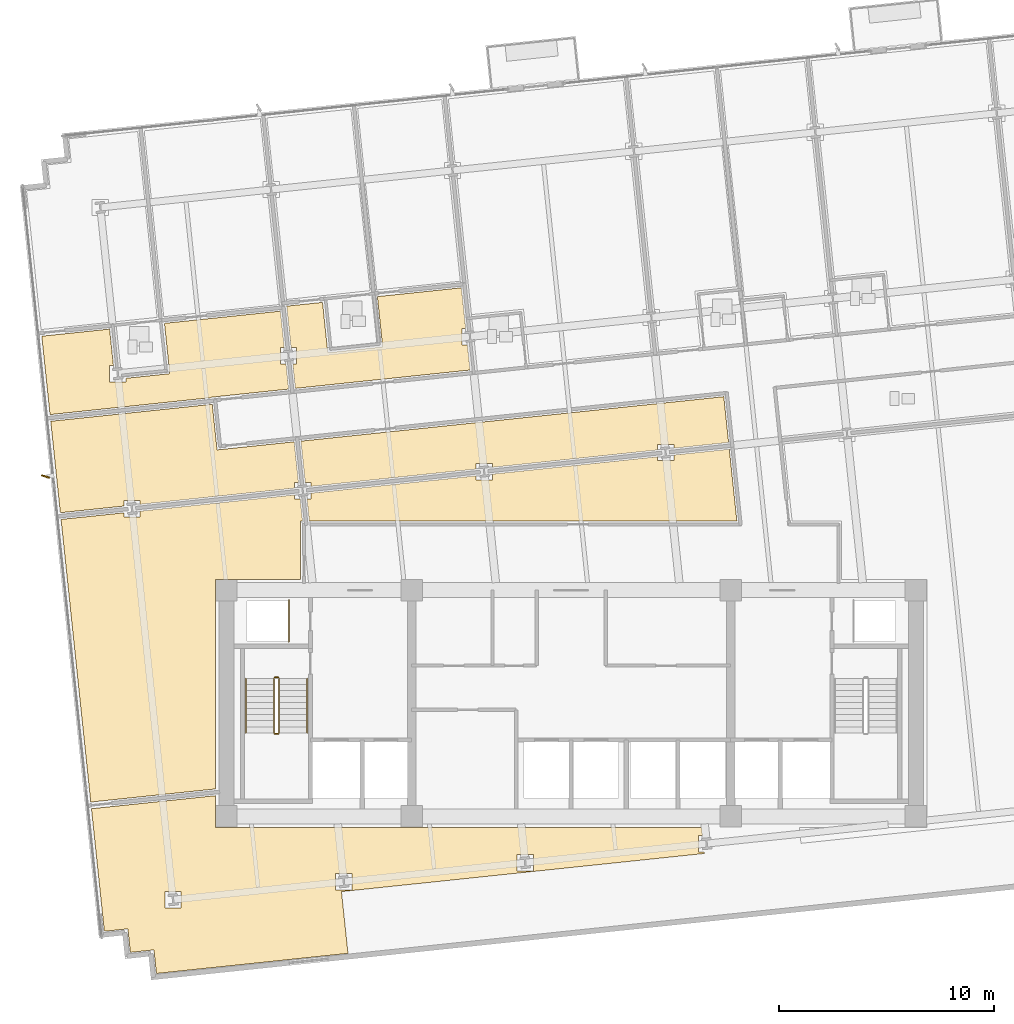
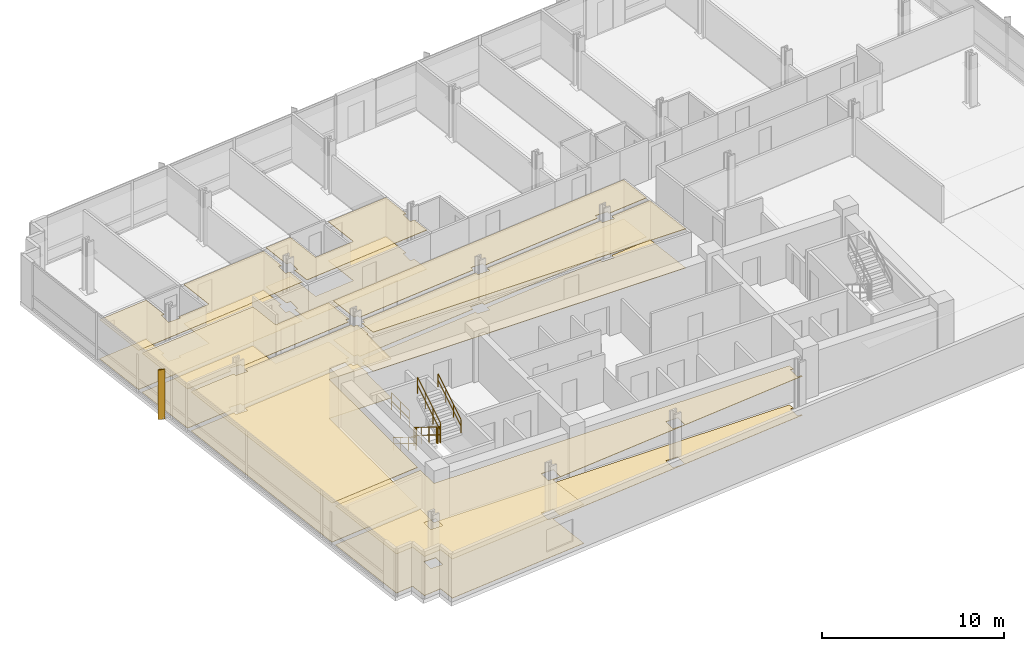
# One storey, part 14 of 18: 14 coverings, 7 railings, 1 shading device.
"""IFC4 building model written with IfcOpenShell, lengths in metres."""

from ifc_helpers import new_model, si_unit, direction, frame, origin, origin_2d, place, context, subcontext, project, spatial, polyline, rectangle, circle, outline, extrude, material, layer, layer_set, type_object, element, save


model = new_model("IFC4")

# Units and contexts
model_context = context("Model", 3, precision=1e-05, world=origin(), true_north=direction((0.0, 1.0)))
body_context = subcontext(model_context, "Body", "Model", "MODEL_VIEW")
ifc_project = project(units=[si_unit("LENGTHUNIT", "METRE"), si_unit("AREAUNIT", "SQUARE_METRE"), si_unit("VOLUMEUNIT", "CUBIC_METRE"), si_unit("PLANEANGLEUNIT", "RADIAN"), si_unit("MASSUNIT", "GRAM", prefix="KILO")], contexts=[model_context])

# Site, building, storey
site_placement = place(None, origin())
site = spatial("IfcSite", under=ifc_project, at=site_placement, CompositionType="ELEMENT")
building_placement = place(site_placement, origin())
building = spatial("IfcBuilding", under=site, at=building_placement, Name="Solmavex Isthmus Hotel", CompositionType="ELEMENT")
storey_placement = place(building_placement, frame((0.0, 0.0, 120.14990234375)))
storey = spatial("IfcBuildingStorey", under=building, at=storey_placement, Name="L32", CompositionType="ELEMENT", Elevation=120.14990234375)

# Coverings
ifc_material_1 = material(Name="Gypsum plasterboard lining", Category="gypsum")
ifc_layer_1 = layer(ifc_material_1, 0.030029296875)
ifc_layer_set_1 = layer_set([ifc_layer_1], Name="Gypsum plasterboard lining")
covering_type_1 = type_object("IfcCoveringType", Name="COV-CEIL-GYP", PredefinedType="CEILING", material=ifc_layer_set_1)
covering_1_placement = place(storey_placement, frame((0.0, 0.0, 2.6201171875)))
element("IfcCovering", 1, at=covering_1_placement, inside=storey, type_object=covering_type_1, Name="Suspended Acoustic Ceiling L32-SH01-LV", PredefinedType="CEILING", context=body_context, shape_type="SweptSolid", body=[
    extrude(outline(polyline([(-21.42041015625, 9.615966796875), (-24.567138671875, 9.28515625), (-24.184814453125, 5.647216796875), (-16.688232421875, 6.43505859375), (-16.690185546875, 6.455078125), (-13.10986328125, 6.831298828125), (-13.23291015625, 8.002197265625), (-13.4970703125, 8.002197265625), (-13.4970703125, 8.76220703125), (-13.31298828125, 8.76220703125), (-13.490234375, 10.449462890625), (-18.87451171875, 9.883544921875), (-18.62890625, 7.54638671875), (-20.661376953125, 7.332763671875), (-20.661376953125, 7.169189453125), (-21.42138671875, 7.169189453125), (-21.42138671875, 7.92919921875), (-21.2431640625, 7.92919921875), (-21.42041015625, 9.615966796875)])), origin(), (0.0, 0.0, 1.0), 0.030029296875),
])
covering_2_placement = place(storey_placement, frame((0.0, 0.0, 2.6201171875)))
element("IfcCovering", 2, at=covering_2_placement, inside=storey, type_object=covering_type_1, Name="Suspended Acoustic Ceiling L32-ST02-FY", PredefinedType="CEILING", context=body_context, shape_type="SweptSolid", body=[
    extrude(outline(polyline([(-4.8134765625, 8.886962890625), (-5.077392578125, 8.886962890625), (-5.077392578125, 9.64697265625), (-4.893310546875, 9.64697265625), (-5.091552734375, 11.533203125), (-8.992919921875, 11.123291015625), (-8.747314453125, 8.7861328125), (-11.29345703125, 8.5185546875), (-11.5390625, 10.855712890625), (-13.202880859375, 10.6806640625), (-13.001220703125, 8.76220703125), (-12.737060546875, 8.76220703125), (-12.737060546875, 8.002197265625), (-12.92138671875, 8.002197265625), (-12.8017578125, 6.86376953125), (-4.6904296875, 7.71630859375), (-4.8134765625, 8.886962890625)])), origin(), (0.0, 0.0, 1.0), 0.030029296875),
])
covering_3_placement = place(storey_placement, frame((0.0, 0.0, 2.6201171875)))
element("IfcCovering", 3, at=covering_3_placement, inside=storey, type_object=covering_type_1, Name="Suspended Acoustic Ceiling L32-FL09", PredefinedType="CEILING", context=body_context, shape_type="SweptSolid", body=[
    extrude(outline(polyline([(-12.8388671875, 2.234619140625), (-12.8388671875, 2.49853515625), (-12.654541015625, 2.49853515625), (-12.852783203125, 4.384765625), (-16.43310546875, 4.008544921875), (-16.65576171875, 6.126953125), (-24.15234375, 5.3388671875), (-23.7060546875, 1.09228515625), (-20.76318359375, 1.401611328125), (-20.76318359375, 1.665771484375), (-20.003173828125, 1.665771484375), (-20.003173828125, 1.4814453125), (-12.8388671875, 2.234619140625)])), origin(), (0.0, 0.0, 1.0), 0.030029296875),
])
covering_4_placement = place(storey_placement, frame((0.0, 0.0, 2.6201171875)))
element("IfcCovering", 4, at=covering_4_placement, inside=storey, type_object=covering_type_1, Name="Suspended Acoustic Ceiling L32-FL10", PredefinedType="CEILING", context=body_context, shape_type="SweptSolid", body=[
    extrude(outline(polyline([(4.00048828125, 4.00439453125), (4.00048828125, 4.2685546875), (4.760498046875, 4.2685546875), (4.760498046875, 4.084228515625), (7.30615234375, 4.351806640625), (7.082275390625, 6.480224609375), (-12.54443359375, 4.417236328125), (-12.3427734375, 2.49853515625), (-12.078857421875, 2.49853515625), (-12.078857421875, 2.314453125), (-4.419189453125, 3.119384765625), (-4.419189453125, 3.383544921875), (-3.6591796875, 3.383544921875), (-3.6591796875, 3.199462890625), (4.00048828125, 4.00439453125)])), origin(), (0.0, 0.0, 1.0), 0.030029296875),
])
covering_5_placement = place(storey_placement, frame((0.0, 0.0, 2.6201171875)))
element("IfcCovering", 5, at=covering_5_placement, inside=storey, type_object=covering_type_1, Name="Suspended Acoustic Ceiling L32-FL11", PredefinedType="CEILING", context=body_context, shape_type="SweptSolid", body=[
    extrude(outline(polyline([(-12.078857421875, 2.002685546875), (-12.078857421875, 1.738525390625), (-12.262939453125, 1.738525390625), (-12.154296875, 0.705078125), (7.689453125, 0.705078125), (7.33837890625, 4.04345703125), (4.760498046875, 3.7724609375), (4.760498046875, 3.508544921875), (4.00048828125, 3.508544921875), (4.00048828125, 3.692626953125), (-3.6591796875, 2.8876953125), (-3.6591796875, 2.62353515625), (-4.419189453125, 2.62353515625), (-4.419189453125, 2.807861328125), (-12.078857421875, 2.002685546875)])), origin(), (0.0, 0.0, 1.0), 0.030029296875),
])
covering_6_placement = place(storey_placement, frame((0.0, 0.0, 2.6201171875)))
element("IfcCovering", 6, at=covering_6_placement, inside=storey, type_object=covering_type_1, Name="Suspended Acoustic Ceiling L32-FL12", PredefinedType="CEILING", context=body_context, shape_type="SweptSolid", body=[
    extrude(outline(polyline([(-20.003173828125, 1.169921875), (-20.003173828125, 0.90576171875), (-20.76318359375, 0.90576171875), (-20.76318359375, 1.08984375), (-23.673583984375, 0.783935546875), (-22.82763671875, -7.2666015625), (-22.294921875, -12.333740234375), (-16.5048828125, -11.72509765625), (-16.5048828125, -1.9951171875), (-12.554931640625, -1.9951171875), (-12.554931640625, 0.705078125), (-12.466064453125, 0.705078125), (-12.57470703125, 1.738525390625), (-12.8388671875, 1.738525390625), (-12.8388671875, 1.9228515625), (-20.003173828125, 1.169921875)])), origin(), (0.0, 0.0, 1.0), 0.030029296875),
])
covering_7_placement = place(storey_placement, frame((0.0, 0.0, 2.6201171875)))
element("IfcCovering", 7, at=covering_7_placement, inside=storey, type_object=covering_type_1, Name="Suspended Acoustic Ceiling L32-FL13", PredefinedType="CEILING", context=body_context, shape_type="SweptSolid", body=[
    extrude(outline(polyline([(6.172119140625, -14.6416015625), (5.908203125, -14.6416015625), (5.908203125, -13.881591796875), (6.09228515625, -13.881591796875), (6.052734375, -13.5048828125), (-16.5048828125, -13.5048828125), (-16.5048828125, -12.036865234375), (-22.262451171875, -12.64208984375), (-21.7509765625, -17.51025390625), (-21.719482421875, -17.80859375), (-21.66455078125, -18.33056640625), (-20.57080078125, -18.2158203125), (-20.455810546875, -19.3095703125), (-19.36181640625, -19.194580078125), (-19.246826171875, -20.28857421875), (-18.42626953125, -20.202392578125), (-10.357666015625, -19.3544921875), (-10.65869140625, -16.490234375), (6.180419921875, -14.72021484375), (6.172119140625, -14.6416015625)]), holes=[polyline([(-2.511474609375, -15.5263671875), (-2.511474609375, -14.766357421875), (-1.75146484375, -14.766357421875), (-1.75146484375, -15.5263671875), (-2.511474609375, -15.5263671875)]), polyline([(-10.93115234375, -16.411376953125), (-10.93115234375, -15.6513671875), (-10.171142578125, -15.6513671875), (-10.171142578125, -16.411376953125), (-10.93115234375, -16.411376953125)]), polyline([(-18.85546875, -17.244384765625), (-18.85546875, -16.484375), (-18.095458984375, -16.484375), (-18.095458984375, -17.244384765625), (-18.85546875, -17.244384765625)])]), origin(), (0.0, 0.0, 1.0), 0.030029296875),
])
ifc_material_2 = material(Name="Travertine natural stone", Category="masonry")
ifc_layer_2 = layer(ifc_material_2, 0.02490234375)
ifc_layer_set_2 = layer_set([ifc_layer_2], Name="Travertine natural stone")
covering_type_2 = type_object("IfcCoveringType", Name="COV-FLOR-STN", PredefinedType="FLOORING", material=ifc_layer_set_2)
covering_8_placement = place(storey_placement, origin())
element("IfcCovering", 8, at=covering_8_placement, inside=storey, type_object=covering_type_2, Name="Stone and Timber Floor Finish L32-SH01-LV", PredefinedType="FLOORING", context=body_context, shape_type="SweptSolid", body=[
    extrude(outline(polyline([(-21.42041015625, 9.615966796875), (-24.567138671875, 9.28515625), (-24.184814453125, 5.647216796875), (-16.688232421875, 6.43505859375), (-16.690185546875, 6.455078125), (-13.10986328125, 6.831298828125), (-13.23291015625, 8.002197265625), (-13.4970703125, 8.002197265625), (-13.4970703125, 8.76220703125), (-13.31298828125, 8.76220703125), (-13.490234375, 10.449462890625), (-18.87451171875, 9.883544921875), (-18.62890625, 7.54638671875), (-20.661376953125, 7.332763671875), (-20.661376953125, 7.169189453125), (-21.42138671875, 7.169189453125), (-21.42138671875, 7.92919921875), (-21.2431640625, 7.92919921875), (-21.42041015625, 9.615966796875)])), origin(), (0.0, 0.0, 1.0), 0.025146484375),
])
covering_9_placement = place(storey_placement, origin())
element("IfcCovering", 9, at=covering_9_placement, inside=storey, type_object=covering_type_2, Name="Stone and Timber Floor Finish L32-ST02-FY", PredefinedType="FLOORING", context=body_context, shape_type="SweptSolid", body=[
    extrude(outline(polyline([(-4.8134765625, 8.886962890625), (-5.077392578125, 8.886962890625), (-5.077392578125, 9.64697265625), (-4.893310546875, 9.64697265625), (-5.091552734375, 11.533203125), (-8.992919921875, 11.123291015625), (-8.747314453125, 8.7861328125), (-11.29345703125, 8.5185546875), (-11.5390625, 10.855712890625), (-13.202880859375, 10.6806640625), (-13.001220703125, 8.76220703125), (-12.737060546875, 8.76220703125), (-12.737060546875, 8.002197265625), (-12.92138671875, 8.002197265625), (-12.8017578125, 6.86376953125), (-4.6904296875, 7.71630859375), (-4.8134765625, 8.886962890625)])), origin(), (0.0, 0.0, 1.0), 0.025146484375),
])
covering_10_placement = place(storey_placement, origin())
element("IfcCovering", 10, at=covering_10_placement, inside=storey, type_object=covering_type_2, Name="Stone and Timber Floor Finish L32-FL09", PredefinedType="FLOORING", context=body_context, shape_type="SweptSolid", body=[
    extrude(outline(polyline([(-12.8388671875, 2.234619140625), (-12.8388671875, 2.49853515625), (-12.654541015625, 2.49853515625), (-12.852783203125, 4.384765625), (-16.43310546875, 4.008544921875), (-16.65576171875, 6.126953125), (-24.15234375, 5.3388671875), (-23.7060546875, 1.09228515625), (-20.76318359375, 1.401611328125), (-20.76318359375, 1.665771484375), (-20.003173828125, 1.665771484375), (-20.003173828125, 1.4814453125), (-12.8388671875, 2.234619140625)])), origin(), (0.0, 0.0, 1.0), 0.025146484375),
])
covering_11_placement = place(storey_placement, origin())
element("IfcCovering", 11, at=covering_11_placement, inside=storey, type_object=covering_type_2, Name="Stone and Timber Floor Finish L32-FL10", PredefinedType="FLOORING", context=body_context, shape_type="SweptSolid", body=[
    extrude(outline(polyline([(4.00048828125, 4.00439453125), (4.00048828125, 4.2685546875), (4.760498046875, 4.2685546875), (4.760498046875, 4.084228515625), (7.30615234375, 4.351806640625), (7.082275390625, 6.480224609375), (-12.54443359375, 4.417236328125), (-12.3427734375, 2.49853515625), (-12.078857421875, 2.49853515625), (-12.078857421875, 2.314453125), (-4.419189453125, 3.119384765625), (-4.419189453125, 3.383544921875), (-3.6591796875, 3.383544921875), (-3.6591796875, 3.199462890625), (4.00048828125, 4.00439453125)])), origin(), (0.0, 0.0, 1.0), 0.025146484375),
])
covering_12_placement = place(storey_placement, origin())
element("IfcCovering", 12, at=covering_12_placement, inside=storey, type_object=covering_type_2, Name="Stone and Timber Floor Finish L32-FL11", PredefinedType="FLOORING", context=body_context, shape_type="SweptSolid", body=[
    extrude(outline(polyline([(-12.078857421875, 2.002685546875), (-12.078857421875, 1.738525390625), (-12.262939453125, 1.738525390625), (-12.154296875, 0.705078125), (7.689453125, 0.705078125), (7.33837890625, 4.04345703125), (4.760498046875, 3.7724609375), (4.760498046875, 3.508544921875), (4.00048828125, 3.508544921875), (4.00048828125, 3.692626953125), (-3.6591796875, 2.8876953125), (-3.6591796875, 2.62353515625), (-4.419189453125, 2.62353515625), (-4.419189453125, 2.807861328125), (-12.078857421875, 2.002685546875)])), origin(), (0.0, 0.0, 1.0), 0.025146484375),
])
covering_13_placement = place(storey_placement, origin())
element("IfcCovering", 13, at=covering_13_placement, inside=storey, type_object=covering_type_2, Name="Stone and Timber Floor Finish L32-FL12", PredefinedType="FLOORING", context=body_context, shape_type="SweptSolid", body=[
    extrude(outline(polyline([(-20.003173828125, 1.169921875), (-20.003173828125, 0.90576171875), (-20.76318359375, 0.90576171875), (-20.76318359375, 1.08984375), (-23.673583984375, 0.783935546875), (-22.82763671875, -7.2666015625), (-22.294921875, -12.333740234375), (-16.5048828125, -11.72509765625), (-16.5048828125, -1.9951171875), (-12.554931640625, -1.9951171875), (-12.554931640625, 0.705078125), (-12.466064453125, 0.705078125), (-12.57470703125, 1.738525390625), (-12.8388671875, 1.738525390625), (-12.8388671875, 1.9228515625), (-20.003173828125, 1.169921875)])), origin(), (0.0, 0.0, 1.0), 0.025146484375),
])
covering_14_placement = place(storey_placement, origin())
element("IfcCovering", 14, at=covering_14_placement, inside=storey, type_object=covering_type_2, Name="Stone and Timber Floor Finish L32-FL13", PredefinedType="FLOORING", context=body_context, shape_type="SweptSolid", body=[
    extrude(outline(polyline([(6.172119140625, -14.6416015625), (5.908203125, -14.6416015625), (5.908203125, -13.881591796875), (6.09228515625, -13.881591796875), (6.052734375, -13.5048828125), (-16.5048828125, -13.5048828125), (-16.5048828125, -12.036865234375), (-22.262451171875, -12.64208984375), (-21.7509765625, -17.51025390625), (-21.719482421875, -17.80859375), (-21.66455078125, -18.33056640625), (-20.57080078125, -18.2158203125), (-20.455810546875, -19.3095703125), (-19.36181640625, -19.194580078125), (-19.246826171875, -20.28857421875), (-18.42626953125, -20.202392578125), (-10.357666015625, -19.3544921875), (-10.65869140625, -16.490234375), (6.180419921875, -14.72021484375), (6.172119140625, -14.6416015625)]), holes=[polyline([(-2.511474609375, -15.5263671875), (-2.511474609375, -14.766357421875), (-1.75146484375, -14.766357421875), (-1.75146484375, -15.5263671875), (-2.511474609375, -15.5263671875)]), polyline([(-10.93115234375, -16.411376953125), (-10.93115234375, -15.6513671875), (-10.171142578125, -15.6513671875), (-10.171142578125, -16.411376953125), (-10.93115234375, -16.411376953125)]), polyline([(-18.85546875, -17.244384765625), (-18.85546875, -16.484375), (-18.095458984375, -16.484375), (-18.095458984375, -17.244384765625), (-18.85546875, -17.244384765625)])]), origin(), (0.0, 0.0, 1.0), 0.025146484375),
])

# Railings
ifc_material_3 = material(Name="Clear low-E laminated glass", Category="glass")
ifc_layer_3 = layer(ifc_material_3, 0.080078125)
ifc_layer_set_3 = layer_set([ifc_layer_3], Name="Clear low-E laminated glass")
railing_type_1 = type_object("IfcRailingType", Name="RAIL-ATRIUM-1120", PredefinedType="BALUSTRADE", material=ifc_layer_set_3)
railing_1_placement = place(storey_placement, frame((-13.10009765625, -4.89990234375, 0.0)))
element("IfcRailing", 15, at=railing_1_placement, inside=storey, type_object=railing_type_1, Name="Guardrail Balustrade L32-RSW-01", PredefinedType="BALUSTRADE", context=body_context, shape_type="SweptSolid", body=[
    extrude(circle(Radius=0.02392578125, at=origin_2d()), frame((0.0, 0.0, 1.1259765625), z_axis=(0.0, 1.0, 0.0), x_axis=(-1.0, 0.0, 0.0)), (0.0, 0.0, 1.0), 1.949951171875),
    extrude(circle(Radius=0.02392578125, at=origin_2d()), frame((0.0, 0.0, 0.574951171875), z_axis=(0.0, 1.0, 0.0), x_axis=(-1.0, 0.0, 0.0)), (0.0, 0.0, 1.0), 1.949951171875),
    extrude(circle(Radius=0.02099609375, at=origin_2d()), origin(), (0.0, 0.0, 1.0), 1.101806640625),
    extrude(circle(Radius=0.02099609375, at=origin_2d()), frame((0.0, 0.97509765625, 0.0)), (0.0, 0.0, 1.0), 1.101806640625),
    extrude(circle(Radius=0.02099609375, at=origin_2d()), frame((0.0, 1.949951171875, 0.0)), (0.0, 0.0, 1.0), 1.101806640625),
])
ifc_material_4 = material(Name="Stainless steel 316", Category="steel")
ifc_layer_4 = layer(ifc_material_4, 0.06005859375)
ifc_layer_set_4 = layer_set([ifc_layer_4], Name="Stainless steel 316")
railing_type_2 = type_object("IfcRailingType", Name="RAIL-STAIR-GD", PredefinedType="GUARDRAIL", material=ifc_layer_set_4)
railing_2_placement = place(storey_placement, frame((-13.800048828125, -6.60009765625, 0.172607421875)))
element("IfcRailing", 16, at=railing_2_placement, inside=storey, type_object=railing_type_2, Name="L32 ST-1 stair guard 1", PredefinedType="GUARDRAIL", context=body_context, shape_type="SweptSolid", body=[
    extrude(circle(Radius=0.02392578125, at=origin_2d()), frame((0.0, 0.0, 1.09619140625), z_axis=(0.0, -0.851400495292, 0.524516154772), x_axis=(1.0, 0.0, 0.0)), (0.0, 0.0, 1.0), 2.9599609375),
    extrude(circle(Radius=0.02392578125, at=origin_2d()), frame((0.0, 0.0, 0.56005859375), z_axis=(0.0, -0.851400495292, 0.524516154772), x_axis=(1.0, 0.0, 0.0)), (0.0, 0.0, 1.0), 2.9599609375),
    extrude(circle(Radius=0.02099609375, at=origin_2d()), origin(), (0.0, 0.0, 1.0), 1.072021484375),
    extrude(circle(Radius=0.02099609375, at=origin_2d()), frame((0.0, -0.840087890625, 0.517578125)), (0.0, 0.0, 1.0), 1.072021484375),
    extrude(circle(Radius=0.02099609375, at=origin_2d()), frame((0.0, -1.679931640625, 1.034912109375)), (0.0, 0.0, 1.0), 1.072021484375),
    extrude(circle(Radius=0.02099609375, at=origin_2d()), frame((0.0, -2.52001953125, 1.552490234375)), (0.0, 0.0, 1.0), 1.072021484375),
])
railing_3_placement = place(storey_placement, frame((-13.75, -9.169921875, 1.72509765625)))
element("IfcRailing", 17, at=railing_3_placement, inside=storey, type_object=railing_type_2, Name="L32 ST-1 stair guard 2", PredefinedType="GUARDRAIL", context=body_context, shape_type="SweptSolid", body=[
    extrude(circle(Radius=0.02392578125, at=origin_2d()), frame((0.0, 0.0, 1.09619140625), z_axis=(1.0, 0.0, 0.0), x_axis=(0.0, 1.0, 0.0)), (0.0, 0.0, 1.0), 0.14990234375),
    extrude(circle(Radius=0.02392578125, at=origin_2d()), frame((0.0, 0.0, 0.56005859375), z_axis=(1.0, 0.0, 0.0), x_axis=(0.0, 1.0, 0.0)), (0.0, 0.0, 1.0), 0.14990234375),
    extrude(circle(Radius=0.02099609375, at=origin_2d()), origin(), (0.0, 0.0, 1.0), 1.072021484375),
    extrude(circle(Radius=0.02099609375, at=origin_2d()), frame((0.14990234375, 0.0, 0.0)), (0.0, 0.0, 1.0), 1.072021484375),
])
railing_4_placement = place(storey_placement, frame((-13.550048828125, -9.1201171875, 1.897705078125)))
element("IfcRailing", 18, at=railing_4_placement, inside=storey, type_object=railing_type_2, Name="L32 ST-1 stair guard 3", PredefinedType="GUARDRAIL", context=body_context, shape_type="SweptSolid", body=[
    extrude(circle(Radius=0.02392578125, at=origin_2d()), frame((0.0, 0.0, 1.09619140625), z_axis=(0.0, 0.851400495292, 0.524516154772), x_axis=(-1.0, 0.0, 0.0)), (0.0, 0.0, 1.0), 2.9599609375),
    extrude(circle(Radius=0.02392578125, at=origin_2d()), frame((0.0, 0.0, 0.56005859375), z_axis=(0.0, 0.851400495292, 0.524516154772), x_axis=(-1.0, 0.0, 0.0)), (0.0, 0.0, 1.0), 2.9599609375),
    extrude(circle(Radius=0.02099609375, at=origin_2d()), origin(), (0.0, 0.0, 1.0), 1.072021484375),
    extrude(circle(Radius=0.02099609375, at=origin_2d()), frame((0.0, 0.840087890625, 0.517578125)), (0.0, 0.0, 1.0), 1.072021484375),
    extrude(circle(Radius=0.02099609375, at=origin_2d()), frame((0.0, 1.679931640625, 1.034912109375)), (0.0, 0.0, 1.0), 1.072021484375),
    extrude(circle(Radius=0.02099609375, at=origin_2d()), frame((0.0, 2.52001953125, 1.552490234375)), (0.0, 0.0, 1.0), 1.072021484375),
])
railing_5_placement = place(storey_placement, frame((-13.75, -6.550048828125, 0.0)))
element("IfcRailing", 19, at=railing_5_placement, inside=storey, type_object=railing_type_2, Name="L32 ST-1 stair guard 4", PredefinedType="GUARDRAIL", context=body_context, shape_type="SweptSolid", body=[
    extrude(circle(Radius=0.02392578125, at=origin_2d()), frame((0.0, 0.0, 1.09619140625), z_axis=(1.0, 0.0, 0.0), x_axis=(0.0, 1.0, 0.0)), (0.0, 0.0, 1.0), 0.14990234375),
    extrude(circle(Radius=0.02392578125, at=origin_2d()), frame((0.0, 0.0, 0.56005859375), z_axis=(1.0, 0.0, 0.0), x_axis=(0.0, 1.0, 0.0)), (0.0, 0.0, 1.0), 0.14990234375),
    extrude(circle(Radius=0.02099609375, at=origin_2d()), origin(), (0.0, 0.0, 1.0), 1.072021484375),
    extrude(circle(Radius=0.02099609375, at=origin_2d()), frame((0.14990234375, 0.0, 0.0)), (0.0, 0.0, 1.0), 1.072021484375),
])
ifc_layer_5 = layer(ifc_material_4, 0.050048828125)
ifc_layer_set_5 = layer_set([ifc_layer_5], Name="Stainless steel 316")
railing_type_3 = type_object("IfcRailingType", Name="RAIL-STAIR-HR", PredefinedType="HANDRAIL", material=ifc_layer_set_5)
railing_6_placement = place(storey_placement, frame((-15.10009765625, -6.60009765625, 0.172607421875)))
element("IfcRailing", 20, at=railing_6_placement, inside=storey, type_object=railing_type_3, Name="L32 ST-1 stair handrail 1", PredefinedType="HANDRAIL", context=body_context, shape_type="SweptSolid", body=[
    extrude(circle(Radius=0.02392578125, at=origin_2d()), frame((0.0, 0.0, 0.8759765625), z_axis=(0.0, -0.851400495292, 0.524516154772), x_axis=(1.0, 0.0, 0.0)), (0.0, 0.0, 1.0), 2.9599609375),
    extrude(circle(Radius=0.02392578125, at=origin_2d()), frame((0.0, 0.0, 0.449951171875), z_axis=(0.0, -0.851400495292, 0.524516154772), x_axis=(1.0, 0.0, 0.0)), (0.0, 0.0, 1.0), 2.9599609375),
    extrude(circle(Radius=0.02099609375, at=origin_2d()), origin(), (0.0, 0.0, 1.0), 0.851806640625),
    extrude(circle(Radius=0.02099609375, at=origin_2d()), frame((0.0, -0.840087890625, 0.517578125)), (0.0, 0.0, 1.0), 0.851806640625),
    extrude(circle(Radius=0.02099609375, at=origin_2d()), frame((0.0, -1.679931640625, 1.034912109375)), (0.0, 0.0, 1.0), 0.851806640625),
    extrude(circle(Radius=0.02099609375, at=origin_2d()), frame((0.0, -2.52001953125, 1.552490234375)), (0.0, 0.0, 1.0), 0.851806640625),
])
railing_7_placement = place(storey_placement, frame((-12.25, -9.1201171875, 1.897705078125)))
element("IfcRailing", 21, at=railing_7_placement, inside=storey, type_object=railing_type_3, Name="L32 ST-1 stair handrail 2", PredefinedType="HANDRAIL", context=body_context, shape_type="SweptSolid", body=[
    extrude(circle(Radius=0.02392578125, at=origin_2d()), frame((0.0, 0.0, 0.8759765625), z_axis=(0.0, 0.851400495292, 0.524516154772), x_axis=(-1.0, 0.0, 0.0)), (0.0, 0.0, 1.0), 2.9599609375),
    extrude(circle(Radius=0.02392578125, at=origin_2d()), frame((0.0, 0.0, 0.449951171875), z_axis=(0.0, 0.851400495292, 0.524516154772), x_axis=(-1.0, 0.0, 0.0)), (0.0, 0.0, 1.0), 2.9599609375),
    extrude(circle(Radius=0.02099609375, at=origin_2d()), origin(), (0.0, 0.0, 1.0), 0.851806640625),
    extrude(circle(Radius=0.02099609375, at=origin_2d()), frame((0.0, 0.840087890625, 0.517578125)), (0.0, 0.0, 1.0), 0.851806640625),
    extrude(circle(Radius=0.02099609375, at=origin_2d()), frame((0.0, 1.679931640625, 1.034912109375)), (0.0, 0.0, 1.0), 0.851806640625),
    extrude(circle(Radius=0.02099609375, at=origin_2d()), frame((0.0, 2.52001953125, 1.552490234375)), (0.0, 0.0, 1.0), 0.851806640625),
])

# Shading device
ifc_material_5 = material(Name="Aluminium alloy 6063-T6", Category="aluminium")
shading_device_type = type_object("IfcShadingDeviceType", Name="SHD-FIN-CHAMP", PredefinedType="USERDEFINED", material=ifc_material_5)
shading_device_placement = place(storey_placement, frame((-24.400634765625, 2.77392578125, -0.139892578125), z_axis=(0.0, 0.0, 1.0), x_axis=(-0.951056516295, 0.309016994375, 0.0)))
element("IfcShadingDevice", 22, at=shading_device_placement, inside=storey, type_object=shading_device_type, Name="Anodised Aluminium Solar Fin L32-W1", ObjectType="SOLAR_FIN", PredefinedType="USERDEFINED", context=body_context, shape_type="SweptSolid", body=[
    extrude(rectangle(XDim=0.3798828125, YDim=0.070068359375, at=origin_2d()), origin(), (0.0, 0.0, 1.0), 3.330078125),
])

save(model, "model.ifc")
